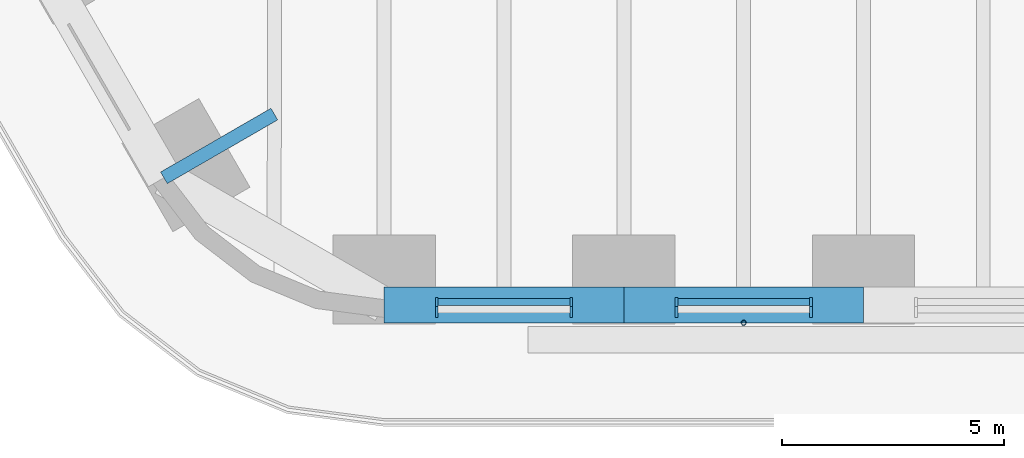
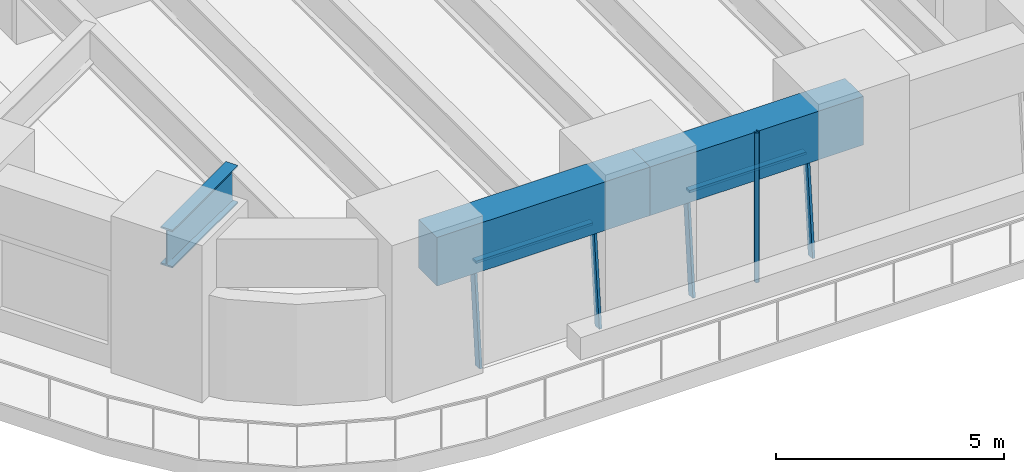
# One storey, part 2 of 23: 7 members, 3 beams, 2 elements without a shape of their own.
"""IFC4 building model written with IfcOpenShell, lengths in metres."""

import ifcopenshell
import ifcopenshell.guid

model = None  # the IFC model being written
_history = None  # IfcOwnerHistory: only IFC2X3 demands one
_inside = {}  # id of a spatial element -> (the spatial element, [elements in it])
_under = {}  # id of a project, library or spatial element -> (it, [spatial elements below it])
_declared = {}  # id of a project -> (the project, [libraries it declares])
_typed = {}  # id of a type object -> (the type object, [elements of that type])
_made_of = {}  # id of a material, layer set ... -> (it, [elements and type objects made of it])


def new_model(schema):
    """Start an empty IFC model of exactly this schema.

    Asked for "IFC4X3", IfcOpenShell would pick the latest addendum, in which some entities
    have other attributes; the version numbers below select the first issue.
    IFC2X3 requires an IfcOwnerHistory on every rooted entity: one is made here for all.
    """
    global model, _history
    if schema == "IFC4X3":
        model = ifcopenshell.file(schema_version=(4, 3, 0, 0))
    else:
        model = ifcopenshell.file(schema=schema)
    _inside.clear()
    _under.clear()
    _declared.clear()
    _typed.clear()
    _made_of.clear()
    _history = None
    if model.schema == "IFC2X3":
        org = make("IfcOrganization", Name="unknown")
        user = make(
            "IfcPersonAndOrganization",
            ThePerson=make("IfcPerson", FamilyName="unknown"),
            TheOrganization=org,
        )
        app = make(
            "IfcApplication",
            ApplicationDeveloper=org,
            Version="unknown",
            ApplicationFullName="unknown",
            ApplicationIdentifier="unknown",
        )
        _history = make(
            "IfcOwnerHistory",
            OwningUser=user,
            OwningApplication=app,
            ChangeAction="ADDED",
            CreationDate=0,
        )
    return model


def make(cls, **values):
    """One entity of the class cls with the attributes given. An attribute that is None is left unset."""
    return model.create_entity(
        cls, **{name: value for name, value in values.items() if value is not None}
    )


def rooted(cls, **values):
    """An entity with a GlobalId (a new one), such as an element, a storey or a relation."""
    return make(cls, GlobalId=ifcopenshell.guid.new(), OwnerHistory=_history, **values)


def si_unit(unit_type, name, prefix=None):
    """IfcSIUnit, for example si_unit("LENGTHUNIT", "METRE", prefix="MILLI")."""
    return make("IfcSIUnit", UnitType=unit_type, Prefix=prefix, Name=name)


def assignment(units):
    """IfcUnitAssignment: the units of a project."""
    return None if units is None else make("IfcUnitAssignment", Units=units)


def point(xyz):
    """IfcCartesianPoint."""
    return None if xyz is None else make("IfcCartesianPoint", Coordinates=xyz)


def direction(xyz):
    """IfcDirection."""
    return None if xyz is None else make("IfcDirection", DirectionRatios=xyz)


def frame(location, z_axis=None, x_axis=None):
    """IfcAxis2Placement3D, a coordinate frame: its origin and axes. An axis left out is left unset."""
    return make(
        "IfcAxis2Placement3D",
        Location=point(location),
        Axis=direction(z_axis),
        RefDirection=direction(x_axis),
    )


def frame_2d(location, x_axis=None):
    """IfcAxis2Placement2D, a coordinate frame in the plane: its origin and x axis."""
    return make(
        "IfcAxis2Placement2D", Location=point(location), RefDirection=direction(x_axis)
    )


def origin():
    """The frame at (0, 0, 0) with its axes left unset."""
    return frame((0.0, 0.0, 0.0))


def origin_2d():
    """The frame at (0, 0) in the plane with its x axis left unset."""
    return frame_2d((0.0, 0.0))


def place(relative_to, where):
    """IfcLocalPlacement: puts the frame where relative to a parent placement (None: the world)."""
    return make(
        "IfcLocalPlacement", PlacementRelTo=relative_to, RelativePlacement=where
    )


def context(
    kind, dimensions, precision=None, world=None, true_north=None, identifier=None
):
    """IfcGeometricRepresentationContext, for example the 3D "Model" context."""
    return make(
        "IfcGeometricRepresentationContext",
        ContextIdentifier=identifier,
        ContextType=kind,
        CoordinateSpaceDimension=dimensions,
        Precision=precision,
        WorldCoordinateSystem=world,
        TrueNorth=true_north,
    )


def subcontext(parent, identifier, kind, view, scale=None):
    """IfcGeometricRepresentationSubContext, for example "Body" below "Model"."""
    return make(
        "IfcGeometricRepresentationSubContext",
        ContextIdentifier=identifier,
        ContextType=kind,
        ParentContext=parent,
        TargetScale=scale,
        TargetView=view,
    )


def project(units=None, contexts=None):
    """IfcProject with its units and contexts."""
    return rooted(
        "IfcProject",
        Name="project",
        RepresentationContexts=contexts,
        UnitsInContext=assignment(units),
    )


def spatial(cls, under=None, at=None, **own):
    """A site, building, storey or space (cls), placed at a placement, below another one or the project."""
    s = rooted(cls, ObjectPlacement=at, **own)
    if under is not None:
        _under.setdefault(under.id(), (under, []))[1].append(s)
    return s


def profile(cls, at=None, kind="AREA", **sizes):
    """A parametric profile (cls). Its sizes go by their IFC names, for example OverallWidth=200.0."""
    return make(cls, ProfileType=kind, Position=at, **sizes)


def rectangle(**sizes):
    """IfcRectangleProfileDef."""
    return profile("IfcRectangleProfileDef", **sizes)


def hollow_circle(**sizes):
    """IfcCircleHollowProfileDef."""
    return profile("IfcCircleHollowProfileDef", **sizes)


def i_section(**sizes):
    """IfcIShapeProfileDef."""
    return profile("IfcIShapeProfileDef", **sizes)


def extrude(swept, where, along, depth):
    """IfcExtrudedAreaSolid: the profile swept, set in the frame where, extruded along a direction by depth."""
    return make(
        "IfcExtrudedAreaSolid",
        SweptArea=swept,
        Position=where,
        ExtrudedDirection=direction(along),
        Depth=depth,
    )


def shape(context_of_items, identifier, shape_type, items):
    """IfcShapeRepresentation: the items that make up one representation, for example the "Body"."""
    return make(
        "IfcShapeRepresentation",
        ContextOfItems=context_of_items,
        RepresentationIdentifier=identifier,
        RepresentationType=shape_type,
        Items=items,
    )


def material(Name=None, Category=None):
    """IfcMaterial."""
    return make("IfcMaterial", Name=Name, Category=Category)


def material_profile(
    of_material, cross_section, Name=None, Category=None, Priority=None
):
    """IfcMaterialProfile: a cross section and its material."""
    return make(
        "IfcMaterialProfile",
        Name=Name,
        Material=of_material,
        Profile=cross_section,
        Priority=Priority,
        Category=Category,
    )


def profile_set(profiles, Name=None, composite=None):
    """IfcMaterialProfileSet."""
    return make(
        "IfcMaterialProfileSet",
        Name=Name,
        MaterialProfiles=profiles,
        CompositeProfile=composite,
    )


def made_of(thing, what):
    """Note that an element or type object is made of a material, layer set ...; save() writes the relation."""
    if what is not None:
        _made_of.setdefault(what.id(), (what, []))[1].append(thing)
    return thing


def type_object(cls, material=None, **own):
    """A type object (cls), such as IfcWallType, which elements share."""
    return made_of(rooted(cls, **own), material)


def element(
    cls,
    number,
    at=None,
    inside=None,
    cuts=None,
    type_object=None,
    material=None,
    context=None,
    identifier="Body",
    shape_type=None,
    held_by="IfcProductDefinitionShape",
    body=None,
    shapes=None,
    **own,
):
    """One element of the class cls, such as IfcWall. Its Tag is "e" and its number.

    at: its placement. inside: the storey or other place that contains it. cuts: it is an
    opening in that element (IfcRelVoidsElement). A single representation is given by context,
    identifier, shape_type and body (its items); several are given by shapes. held_by: the class
    of the entity that holds the representations. save() writes the other relations.
    """
    e = rooted(cls, Tag="e%d" % number, ObjectPlacement=at, **own)
    if body is not None:
        shapes = [shape(context, identifier, shape_type, body)]
    if shapes is not None:
        e.Representation = make(held_by, Representations=shapes)
    if inside is not None:
        _inside.setdefault(inside.id(), (inside, []))[1].append(e)
    if cuts is not None:
        rooted(
            "IfcRelVoidsElement", RelatingBuildingElement=cuts, RelatedOpeningElement=e
        )
    if type_object is not None:
        _typed.setdefault(type_object.id(), (type_object, []))[1].append(e)
    return made_of(e, material)


def aggregate(whole, parts):
    """IfcRelAggregates: a whole, such as a stair, and the parts it consists of."""
    return rooted("IfcRelAggregates", RelatingObject=whole, RelatedObjects=parts)


def save(model, path):
    """Write the relations noted so far, then the file.

    IfcRelAggregates (storeys below a building ...), IfcRelContainedInSpatialStructure (elements
    in a storey), IfcRelDefinesByType, IfcRelAssociatesMaterial and IfcRelDeclares: one each for
    every whole, place, type object, material and project.
    """
    for whole, parts in _under.values():
        aggregate(whole, parts)
    for where, things in _inside.values():
        rooted(
            "IfcRelContainedInSpatialStructure",
            RelatedElements=things,
            RelatingStructure=where,
        )
    for kind, things in _typed.values():
        rooted("IfcRelDefinesByType", RelatedObjects=things, RelatingType=kind)
    for what, things in _made_of.values():
        rooted("IfcRelAssociatesMaterial", RelatedObjects=things, RelatingMaterial=what)
    for by, libraries in _declared.values():
        rooted("IfcRelDeclares", RelatingContext=by, RelatedDefinitions=libraries)
    model.write(path)


model = new_model("IFC4")

# Units and contexts
model_context = context("Model", 3, precision=1e-05, world=origin(), true_north=direction((0.0, 1.0)))
body_context = subcontext(model_context, "Body", "Model", "MODEL_VIEW")
ifc_project = project(units=[si_unit("LENGTHUNIT", "METRE"), si_unit("AREAUNIT", "SQUARE_METRE"), si_unit("VOLUMEUNIT", "CUBIC_METRE"), si_unit("PLANEANGLEUNIT", "RADIAN"), si_unit("MASSUNIT", "GRAM", prefix="KILO")], contexts=[model_context])

# Site, building, storey
site_placement = place(None, origin())
site = spatial("IfcSite", under=ifc_project, at=site_placement, CompositionType="ELEMENT")
building_placement = place(site_placement, origin())
building = spatial("IfcBuilding", under=site, at=building_placement, Name="Tarfa Lantern Tower", CompositionType="ELEMENT")
storey_placement = place(building_placement, frame((0.0, 0.0, 31.89990234375)))
storey = spatial("IfcBuildingStorey", under=building, at=storey_placement, Name="L06", CompositionType="ELEMENT", Elevation=31.89990234375)

# Curtain wall, members
ifc_material_1 = material(Name="Aluminium framed curtain wall", Category="aluminium")
curtain_wall_type = type_object("IfcCurtainWallType", Name="CW1 CANTED GLAZING LOW ZONE 2700", PredefinedType="USERDEFINED", material=ifc_material_1)
curtain_wall_1_placement = place(storey_placement, origin())
curtain_wall_1 = element("IfcCurtainWall", 1, at=curtain_wall_1_placement, inside=storey, type_object=curtain_wall_type, Name="CW1 S L06", ObjectType="CURTAIN WALL", PredefinedType="USERDEFINED")
ifc_material_2 = material(Name="Aluminium mullion", Category="aluminium")
ifc_material_profile_1 = material_profile(ifc_material_2, rectangle(XDim=0.06494140625, YDim=0.199951171875, at=origin_2d()), Name="AL MULLION 65x200")
ifc_profile_set_1 = profile_set([ifc_material_profile_1], Name="Aluminium mullion")
member_type_1 = type_object("IfcMemberType", Name="CWM1 MULLION 65x200", PredefinedType="MULLION", material=ifc_profile_set_1)
member_1_placement = place(storey_placement, frame((-14.9833984375, -33.89990234375, 0.0), z_axis=(0.0, 0.092191598296, 0.995741286281), x_axis=(-1.0, 0.0, 0.0)))
member_1 = element("IfcMember", 2, at=member_1_placement, type_object=member_type_1, Name="CW1 mullion 1", PredefinedType="MULLION", context=body_context, shape_type="SweptSolid", body=[
    extrude(rectangle(XDim=0.06494140625, YDim=0.199951171875, at=origin_2d()), origin(), (0.0, 0.0, 1.0), 2.711669921875),
])
member_2_placement = place(storey_placement, frame((-11.959716796875, -33.89990234375, 0.0), z_axis=(0.0, 0.092191598296, 0.995741286281), x_axis=(-1.0, 0.0, 0.0)))
member_2 = element("IfcMember", 3, at=member_2_placement, type_object=member_type_1, Name="CW1 mullion 2", PredefinedType="MULLION", context=body_context, shape_type="SweptSolid", body=[
    extrude(rectangle(XDim=0.06494140625, YDim=0.199951171875, at=origin_2d()), origin(), (0.0, 0.0, 1.0), 2.711669921875),
])

curtain_wall_2_placement = place(storey_placement, origin())
curtain_wall_2 = element("IfcCurtainWall", 4, at=curtain_wall_2_placement, inside=storey, type_object=curtain_wall_type, Name="CW1 S L06", ObjectType="CURTAIN WALL", PredefinedType="USERDEFINED")
member_3_placement = place(storey_placement, frame((-9.5947265625, -33.89990234375, 0.0), z_axis=(0.0, 0.092191598296, 0.995741286281), x_axis=(-1.0, 0.0, 0.0)))
member_3 = element("IfcMember", 5, at=member_3_placement, type_object=member_type_1, Name="CW1 mullion 1", PredefinedType="MULLION", context=body_context, shape_type="SweptSolid", body=[
    extrude(rectangle(XDim=0.06494140625, YDim=0.199951171875, at=origin_2d()), origin(), (0.0, 0.0, 1.0), 2.711669921875),
])
member_4_placement = place(storey_placement, frame((-6.571044921875, -33.89990234375, 0.0), z_axis=(0.0, 0.092191598296, 0.995741286281), x_axis=(-1.0, 0.0, 0.0)))
member_4 = element("IfcMember", 6, at=member_4_placement, type_object=member_type_1, Name="CW1 mullion 2", PredefinedType="MULLION", context=body_context, shape_type="SweptSolid", body=[
    extrude(rectangle(XDim=0.06494140625, YDim=0.199951171875, at=origin_2d()), origin(), (0.0, 0.0, 1.0), 2.711669921875),
])

# Member
ifc_material_3 = material(Name="Aluminium transom", Category="aluminium")
ifc_material_profile_2 = material_profile(ifc_material_3, rectangle(XDim=0.14990234375, YDim=0.06494140625, at=origin_2d()), Name="AL TRANSOM 150x65")
ifc_profile_set_2 = profile_set([ifc_material_profile_2], Name="Aluminium transom")
member_type_2 = type_object("IfcMemberType", Name="CWT1 TRANSOM 150x65", PredefinedType="USERDEFINED", material=ifc_profile_set_2)
member_5_placement = place(storey_placement, frame((-14.950927734375, -33.653076171875, 2.66748046875), z_axis=(1.0, 0.0, 0.0), x_axis=(0.0, 1.0, 0.0)))
member_5 = element("IfcMember", 7, at=member_5_placement, type_object=member_type_2, Name="CW1 transom 1.2", ObjectType="TRANSOM", PredefinedType="USERDEFINED", context=body_context, shape_type="SweptSolid", body=[
    extrude(rectangle(XDim=0.14990234375, YDim=0.06494140625, at=origin_2d()), origin(), (0.0, 0.0, 1.0), 2.958740234375),
])

aggregate(curtain_wall_1, [member_1, member_2, member_5])

member_6_placement = place(storey_placement, frame((-9.562255859375, -33.653076171875, 2.66748046875), z_axis=(1.0, 0.0, 0.0), x_axis=(0.0, 1.0, 0.0)))
member_6 = element("IfcMember", 8, at=member_6_placement, type_object=member_type_2, Name="CW1 transom 1.2", ObjectType="TRANSOM", PredefinedType="USERDEFINED", context=body_context, shape_type="SweptSolid", body=[
    extrude(rectangle(XDim=0.14990234375, YDim=0.06494140625, at=origin_2d()), origin(), (0.0, 0.0, 1.0), 2.958740234375),
])

aggregate(curtain_wall_2, [member_3, member_4, member_6])

# Beams
ifc_material_4 = material(Name="Concrete C80/95", Category="concrete")
ifc_material_profile_3 = material_profile(ifc_material_4, rectangle(XDim=0.800048828125, YDim=1.300048828125, at=origin_2d()), Name="RC 800x1300")
ifc_profile_set_3 = profile_set([ifc_material_profile_3], Name="Concrete C80/95")
beam_type_1 = type_object("IfcBeamType", Name="EB1 RC 800x1300", PredefinedType="SPANDREL", material=ifc_profile_set_3)
beam_1_placement = place(storey_placement, frame((-16.165771484375, -33.719970703125, 3.35009765625), z_axis=(1.0, 0.0, 0.0), x_axis=(0.0, 1.0, 0.0)))
element("IfcBeam", 9, at=beam_1_placement, inside=storey, type_object=beam_type_1, Name="Edge beam S0", PredefinedType="SPANDREL", context=body_context, shape_type="SweptSolid", body=[
    extrude(rectangle(XDim=0.800048828125, YDim=1.300048828125, at=origin_2d()), origin(), (0.0, 0.0, 1.0), 5.388671875),
])
beam_2_placement = place(storey_placement, frame((-10.777099609375, -33.719970703125, 3.35009765625), z_axis=(1.0, 0.0, 0.0), x_axis=(0.0, 1.0, 0.0)))
element("IfcBeam", 10, at=beam_2_placement, inside=storey, type_object=beam_type_1, Name="Edge beam S1", PredefinedType="SPANDREL", context=body_context, shape_type="SweptSolid", body=[
    extrude(rectangle(XDim=0.800048828125, YDim=1.300048828125, at=origin_2d()), origin(), (0.0, 0.0, 1.0), 5.388427734375),
])

# Member
ifc_material_5 = material(Name="Steel S355", Category="steel")
ifc_material_profile_4 = material_profile(ifc_material_5, hollow_circle(Radius=0.05712890625, WallThickness=0.00634765625, at=origin_2d()), Name="CHS114.3x6.3")
ifc_profile_set_4 = profile_set([ifc_material_profile_4], Name="Steel S355")
member_type_3 = type_object("IfcMemberType", Name="TR1 GREEN WALL TRELLIS CHS114.3x6.3", PredefinedType="USERDEFINED", material=ifc_profile_set_4)
member_7_placement = place(storey_placement, frame((-8.0830078125, -34.1201171875, 0.0), z_axis=(0.0, 0.0, 1.0), x_axis=(1.0, 0.0, 0.0)))
element("IfcMember", 11, at=member_7_placement, inside=storey, type_object=member_type_3, Name="Trellis post S 1", ObjectType="TRELLIS", PredefinedType="USERDEFINED", context=body_context, shape_type="SweptSolid", body=[
    extrude(hollow_circle(Radius=0.05712890625, WallThickness=0.00634765625, at=origin_2d()), origin(), (0.0, 0.0, 1.0), 4.0),
])

# Beam
ifc_material_6 = material(Name="Steel S460M", Category="steel")
ifc_material_profile_5 = material_profile(ifc_material_6, i_section(OverallWidth=0.302001953125, OverallDepth=1.008056640625, WebThickness=0.02099609375, FlangeThickness=0.0400390625, FilletRadius=0.030029296875, at=origin_2d()), Name="UB1016x305x349")
ifc_profile_set_5 = profile_set([ifc_material_profile_5], Name="Steel S460M")
beam_type_2 = type_object("IfcBeamType", Name="UB1016x305x349", PredefinedType="BEAM", material=ifc_profile_set_5)
beam_3_placement = place(storey_placement, frame((-21.119384765625, -30.860107421875, 3.49609375), z_axis=(0.866012580594, 0.500022209759, 0.0), x_axis=(-0.500022209759, 0.866012580594, 0.0)))
element("IfcBeam", 12, at=beam_3_placement, inside=storey, type_object=beam_type_2, Name="Floor beam SW6", PredefinedType="BEAM", context=body_context, shape_type="SweptSolid", body=[
    extrude(i_section(OverallWidth=0.302001953125, OverallDepth=1.008056640625, WebThickness=0.02099609375, FlangeThickness=0.0400390625, FilletRadius=0.030029296875, at=origin_2d()), origin(), (0.0, 0.0, 1.0), 2.866943359375),
])

save(model, "model.ifc")
